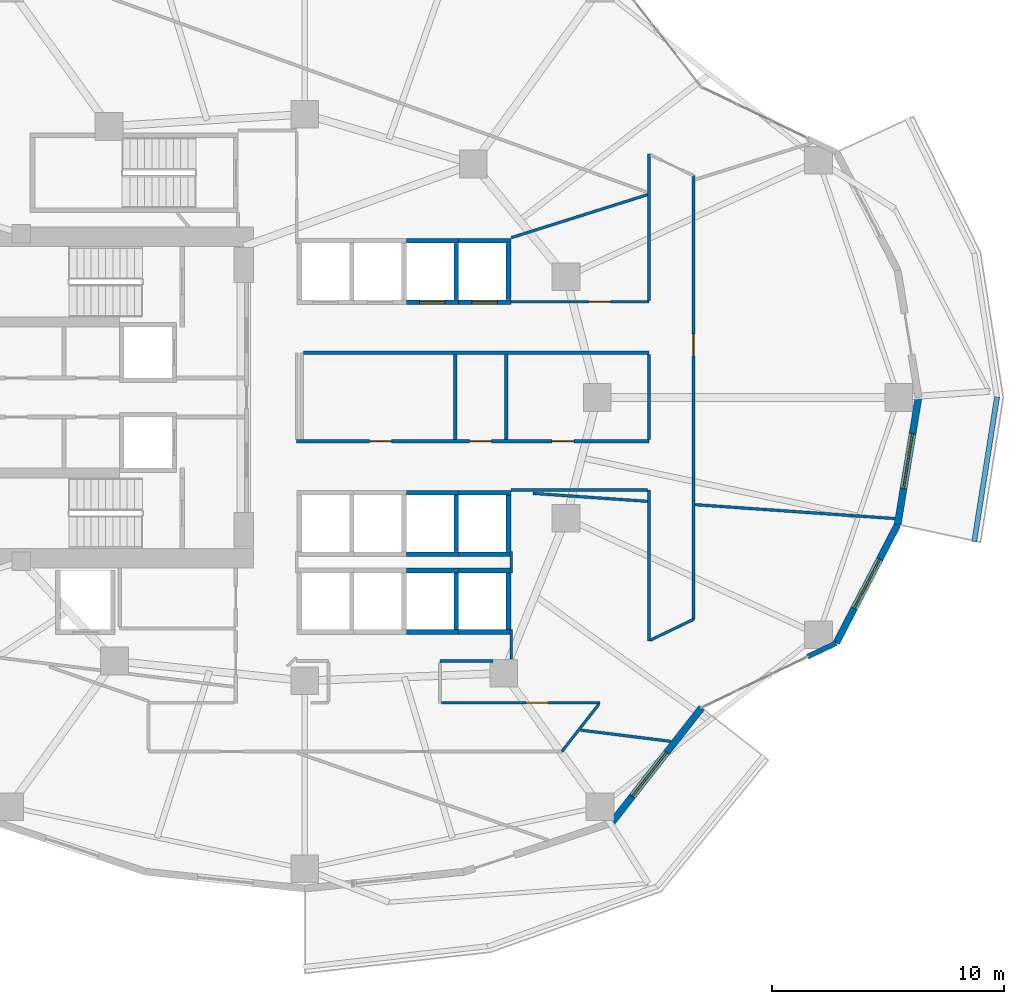
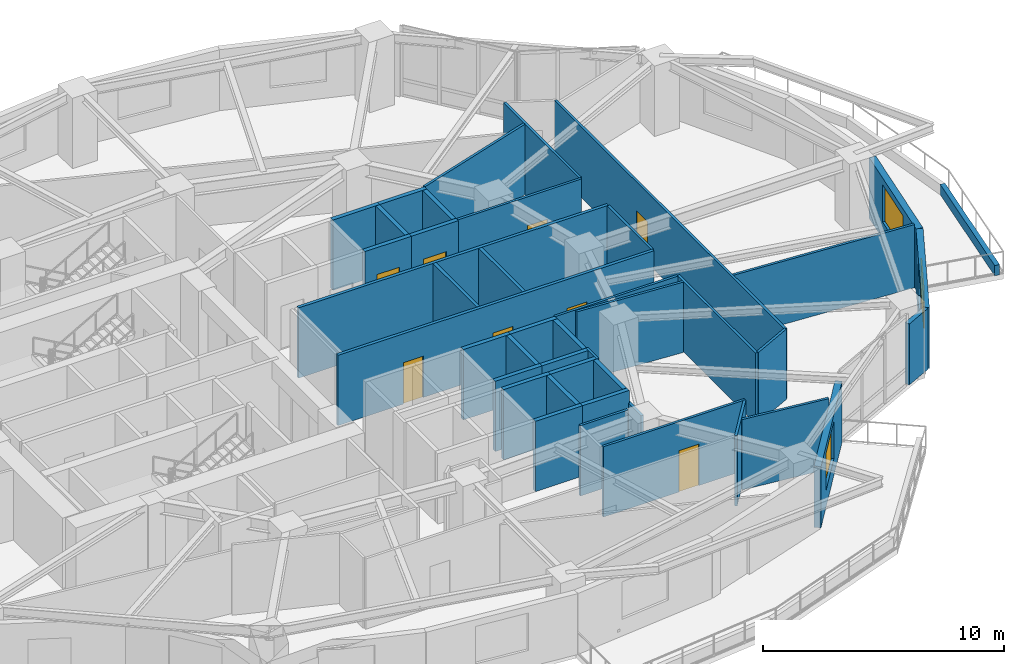
# One storey, part 8 of 13: 43 walls, 8 doors, 3 windows, 11 openings.
"""IFC4 building model written with IfcOpenShell, lengths in metres."""

from ifc_helpers import new_model, si_unit, direction, frame, frame_2d, origin, place, context, subcontext, project, spatial, rectangle, extrude, material, layer, layer_set, type_object, element, fill, save


model = new_model("IFC4")

# Units and contexts
model_context = context("Model", 3, precision=1e-05, world=origin(), true_north=direction((0.0, 1.0)))
body_context = subcontext(model_context, "Body", "Model", "MODEL_VIEW")
ifc_project = project(units=[si_unit("LENGTHUNIT", "METRE"), si_unit("AREAUNIT", "SQUARE_METRE"), si_unit("VOLUMEUNIT", "CUBIC_METRE"), si_unit("PLANEANGLEUNIT", "RADIAN"), si_unit("MASSUNIT", "GRAM", prefix="KILO")], contexts=[model_context])

# Site, building, storey
site_placement = place(None, origin())
site = spatial("IfcSite", under=ifc_project, at=site_placement, CompositionType="ELEMENT")
building_placement = place(site_placement, origin())
building = spatial("IfcBuilding", under=site, at=building_placement, Name="Kolvaren Gate Tower and Convention Centre", CompositionType="ELEMENT")
storey_placement = place(building_placement, frame((0.0, 0.0, 76.550048828125)))
storey = spatial("IfcBuildingStorey", under=building, at=storey_placement, Name="L18", CompositionType="ELEMENT", Elevation=76.550048828125)

# Wall
ifc_material_1 = material(Name="Fire-Rated Acoustic Gypsum Stud Partition", Category="gypsum")
ifc_layer_1 = layer(ifc_material_1, 0.1201171875)
ifc_layer_set_1 = layer_set([ifc_layer_1], Name="Fire-Rated Acoustic Gypsum Stud Partition")
wall_type_1 = type_object("IfcWallType", Name="ARCH-WL-PART-120", PredefinedType="PARTITIONING", material=ifc_layer_set_1)
wall_1_placement = place(storey_placement, frame((35.949951171875, 15.64990234375, 0.0), z_axis=(0.0, 0.0, 1.0), x_axis=(1.0, 0.0, 0.0)))
element("IfcWall", 1, at=wall_1_placement, inside=storey, type_object=wall_type_1, Name="Interior Partition WL-L18-INT-018", PredefinedType="PARTITIONING", context=body_context, shape_type="SweptSolid", body=[
    extrude(rectangle(XDim=2.291015625, YDim=0.1201171875, at=frame_2d((1.1455078125, 0.0))), origin(), (0.0, 0.0, 1.0), 3.570068359375),
])

# Wall, opening, door
wall_2_placement = place(storey_placement, frame((36.011962890625, 13.85009765625, 0.0), z_axis=(0.0, 0.0, 1.0), x_axis=(1.0, 0.0, 0.0)))
wall_2 = element("IfcWall", 2, at=wall_2_placement, inside=storey, type_object=wall_type_1, Name="Interior Partition WL-L18-INT-022", PredefinedType="PARTITIONING", context=body_context, shape_type="SweptSolid", body=[
    extrude(rectangle(XDim=6.830078125, YDim=0.1201171875, at=frame_2d((3.4150390625, 0.0))), origin(), (0.0, 0.0, 1.0), 3.570068359375),
])
opening_1_placement = place(wall_2_placement, frame((3.639892578125, 0.0, 0.0)))
opening_1 = element("IfcOpeningElement", 3, at=opening_1_placement, cuts=wall_2, Name="Opening DR-01", PredefinedType="OPENING", context=body_context, shape_type="SweptSolid", body=[
    extrude(rectangle(XDim=0.949951171875, YDim=2.10009765625, at=frame_2d((0.47509765625, 1.050048828125))), frame((0.0, 0.070068359375, 0.0), z_axis=(0.0, -1.0, 0.0), x_axis=(1.0, 0.0, 0.0)), (0.0, 0.0, 1.0), 0.14013671875),
])
ifc_material_2 = material(Name="Painted Architectural Steelwork ASTM A500 Grade C 345 MPa", Category="steel")
door_type_1 = type_object("IfcDoorType", Name="ARCH-DR-RISER-950", OperationType="SINGLE_SWING_RIGHT", PredefinedType="DOOR", material=ifc_material_2)
door_1_placement = place(opening_1_placement, origin())
door_1 = element("IfcDoor", 4, at=door_1_placement, inside=storey, type_object=door_type_1, Name="Operations Support Staff Centre Door", OperationType="SINGLE_SWING_LEFT", OverallHeight=2.10009765625, OverallWidth=0.949951171875, PredefinedType="DOOR", context=body_context, shape_type="SweptSolid", body=[
    extrude(rectangle(XDim=0.949951171875, YDim=2.10009765625, at=frame_2d((0.47509765625, 1.050048828125))), frame((0.0, 0.02490234375, 0.0), z_axis=(0.0, -1.0, 0.0), x_axis=(1.0, 0.0, 0.0)), (0.0, 0.0, 1.0), 0.050048828125),
])
fill(opening_1, door_1)

# Wall
wall_3_placement = place(storey_placement, frame((41.197998046875, 11.75, 0.0), z_axis=(0.0, 0.0, 1.0), x_axis=(0.616412533256, 0.787423386016, 0.0)))
element("IfcWall", 5, at=wall_3_placement, inside=storey, type_object=wall_type_1, Name="Interior Partition WL-L18-INT-023", PredefinedType="PARTITIONING", context=body_context, shape_type="SweptSolid", body=[
    extrude(rectangle(XDim=2.58837890625, YDim=0.1201171875, at=frame_2d((1.294189453125, 0.0))), origin(), (0.0, 0.0, 1.0), 3.570068359375),
])

# Wall, opening, door
wall_4_placement = place(storey_placement, frame((39.02001953125, 31.1201171875, 0.0), z_axis=(0.0, 0.0, 1.0), x_axis=(1.0, 0.0, 0.0)))
wall_4 = element("IfcWall", 6, at=wall_4_placement, inside=storey, type_object=wall_type_1, Name="Interior Partition WL-L18-INT-031", PredefinedType="PARTITIONING", context=body_context, shape_type="SweptSolid", body=[
    extrude(rectangle(XDim=5.929931640625, YDim=0.1201171875, at=frame_2d((2.96484375, 0.0))), origin(), (0.0, 0.0, 1.0), 3.570068359375),
])
opening_2_placement = place(wall_4_placement, frame((3.330078125, 0.0, 0.0)))
opening_2 = element("IfcOpeningElement", 7, at=opening_2_placement, cuts=wall_4, Name="Opening DR-01", PredefinedType="OPENING", context=body_context, shape_type="SweptSolid", body=[
    extrude(rectangle(XDim=0.949951171875, YDim=2.10009765625, at=frame_2d((0.47509765625, 1.050048828125))), frame((0.0, 0.070068359375, 0.0), z_axis=(0.0, -1.0, 0.0), x_axis=(1.0, 0.0, 0.0)), (0.0, 0.0, 1.0), 0.14013671875),
])
door_2_placement = place(opening_2_placement, origin())
door_2 = element("IfcDoor", 8, at=door_2_placement, inside=storey, type_object=door_type_1, Name="First-Aid Room Door", OperationType="SINGLE_SWING_RIGHT", OverallHeight=2.10009765625, OverallWidth=0.949951171875, PredefinedType="DOOR", context=body_context, shape_type="SweptSolid", body=[
    extrude(rectangle(XDim=0.949951171875, YDim=2.10009765625, at=frame_2d((0.47509765625, 1.050048828125))), frame((0.0, 0.02490234375, 0.0), z_axis=(0.0, -1.0, 0.0), x_axis=(1.0, 0.0, 0.0)), (0.0, 0.0, 1.0), 0.050048828125),
])
fill(opening_2, door_2)

# Walls
wall_5_placement = place(storey_placement, frame((44.949951171875, 16.51904296875, 0.0), z_axis=(0.0, 0.0, 1.0), x_axis=(0.0, 1.0, 0.0)))
element("IfcWall", 9, at=wall_5_placement, inside=storey, type_object=wall_type_1, Name="Interior Partition WL-L18-INT-032", PredefinedType="PARTITIONING", context=body_context, shape_type="SweptSolid", body=[
    extrude(rectangle(XDim=6.5009765625, YDim=0.1201171875, at=frame_2d((3.25048828125, 0.0))), origin(), (0.0, 0.0, 1.0), 3.570068359375),
])
wall_6_placement = place(storey_placement, frame((44.949951171875, 25.197021484375, 0.0), z_axis=(0.0, 0.0, 1.0), x_axis=(0.0, 1.0, 0.0)))
element("IfcWall", 10, at=wall_6_placement, inside=storey, type_object=wall_type_1, Name="Interior Partition WL-L18-INT-033", PredefinedType="PARTITIONING", context=body_context, shape_type="SweptSolid", body=[
    extrude(rectangle(XDim=3.64599609375, YDim=0.1201171875, at=frame_2d((1.822998046875, 0.0))), origin(), (0.0, 0.0, 1.0), 3.570068359375),
])
wall_7_placement = place(storey_placement, frame((44.949951171875, 31.181884765625, 0.0), z_axis=(0.0, 0.0, 1.0), x_axis=(0.0, 1.0, 0.0)))
element("IfcWall", 11, at=wall_7_placement, inside=storey, type_object=wall_type_1, Name="Interior Partition WL-L18-INT-034", PredefinedType="PARTITIONING", context=body_context, shape_type="SweptSolid", body=[
    extrude(rectangle(XDim=6.299072265625, YDim=0.1201171875, at=frame_2d((3.1494140625, 0.0))), origin(), (0.0, 0.0, 1.0), 3.570068359375),
])

# Wall, opening, door
wall_8_placement = place(storey_placement, frame((46.8701171875, 17.44189453125, 0.0), z_axis=(0.0, 0.0, 1.0), x_axis=(0.0, 1.0, 0.0)))
wall_8 = element("IfcWall", 12, at=wall_8_placement, inside=storey, type_object=wall_type_1, Name="Interior Partition WL-L18-INT-036", PredefinedType="PARTITIONING", context=body_context, shape_type="SweptSolid", body=[
    extrude(rectangle(XDim=19.1162109375, YDim=0.1201171875, at=frame_2d((9.55810546875, 0.0))), origin(), (0.0, 0.0, 1.0), 3.570068359375),
])
opening_3_placement = place(wall_8_placement, frame((11.352294921875, 0.0, 0.0)))
opening_3 = element("IfcOpeningElement", 13, at=opening_3_placement, cuts=wall_8, Name="Opening DR-01", PredefinedType="OPENING", context=body_context, shape_type="SweptSolid", body=[
    extrude(rectangle(XDim=0.949951171875, YDim=2.10009765625, at=frame_2d((0.47509765625, 1.050048828125))), frame((0.0, 0.070068359375, 0.0), z_axis=(0.0, -1.0, 0.0), x_axis=(1.0, 0.0, 0.0)), (0.0, 0.0, 1.0), 0.14013671875),
])
door_3_placement = place(opening_3_placement, origin())
door_3 = element("IfcDoor", 14, at=door_3_placement, inside=storey, type_object=door_type_1, Name="Operations Support Staff Centre Door", OperationType="SINGLE_SWING_LEFT", OverallHeight=2.10009765625, OverallWidth=0.949951171875, PredefinedType="DOOR", context=body_context, shape_type="SweptSolid", body=[
    extrude(rectangle(XDim=0.949951171875, YDim=2.10009765625, at=frame_2d((0.47509765625, 1.050048828125))), frame((0.0, 0.02490234375, 0.0), z_axis=(0.0, -1.0, 0.0), x_axis=(1.0, 0.0, 0.0)), (0.0, 0.0, 1.0), 0.050048828125),
])
fill(opening_3, door_3)

# Walls
wall_9_placement = place(storey_placement, frame((45.011962890625, 16.548828125, 0.0), z_axis=(0.0, 0.0, 1.0), x_axis=(0.901304887575, 0.433185294803, 0.0)))
element("IfcWall", 15, at=wall_9_placement, inside=storey, type_object=wall_type_1, Name="Interior Partition WL-L18-INT-037", PredefinedType="PARTITIONING", context=body_context, shape_type="SweptSolid", body=[
    extrude(rectangle(XDim=2.0615234375, YDim=0.1201171875, at=frame_2d((1.03076171875, 0.0))), origin(), (0.0, 0.0, 1.0), 3.570068359375),
])
wall_10_placement = place(storey_placement, frame((39.0, 23.02001953125, 0.0), z_axis=(0.0, 0.0, 1.0), x_axis=(1.0, 0.0, 0.0)))
element("IfcWall", 16, at=wall_10_placement, inside=storey, type_object=wall_type_1, Name="Interior Partition WL-L18-INT-038", PredefinedType="PARTITIONING", context=body_context, shape_type="SweptSolid", body=[
    extrude(rectangle(XDim=5.887939453125, YDim=0.1201171875, at=frame_2d((2.94384765625, 0.0))), origin(), (0.0, 0.0, 1.0), 3.570068359375),
])
wall_11_placement = place(storey_placement, frame((39.02001953125, 15.741943359375, 0.0), z_axis=(0.0, 0.0, 1.0), x_axis=(0.0, 1.0, 0.0)))
element("IfcWall", 17, at=wall_11_placement, inside=storey, type_object=wall_type_1, Name="Interior Partition WL-L18-INT-039", PredefinedType="PARTITIONING", context=body_context, shape_type="SweptSolid", body=[
    extrude(rectangle(XDim=1.26806640625, YDim=0.1201171875, at=frame_2d((0.634033203125, 0.0))), origin(), (0.0, 0.0, 1.0), 2.933837890625),
])
wall_12_placement = place(storey_placement, frame((39.02001953125, 19.43994140625, 0.0), z_axis=(0.0, 0.0, 1.0), x_axis=(0.0, 1.0, 0.0)))
element("IfcWall", 18, at=wall_12_placement, inside=storey, type_object=wall_type_1, Name="Interior Partition WL-L18-INT-039 (2)", PredefinedType="PARTITIONING", context=body_context, shape_type="SweptSolid", body=[
    extrude(rectangle(XDim=0.920166015625, YDim=0.1201171875, at=frame_2d((0.4599609375, 0.0))), origin(), (0.0, 0.0, 1.0), 3.570068359375),
])
wall_13_placement = place(storey_placement, frame((39.960693359375, 22.8701171875, 0.0), z_axis=(0.0, 0.0, 1.0), x_axis=(0.99758211908, -0.069497594858, 0.0)))
element("IfcWall", 19, at=wall_13_placement, inside=storey, type_object=wall_type_1, Name="Interior Partition WL-L18-INT-043", PredefinedType="PARTITIONING", context=body_context, shape_type="SweptSolid", body=[
    extrude(rectangle(XDim=4.939208984375, YDim=0.1201171875, at=frame_2d((2.4697265625, 0.0))), origin(), (0.0, 0.0, 1.0), 3.570068359375),
])
wall_14_placement = place(storey_placement, frame((46.931884765625, 22.384521484375, 0.0), z_axis=(0.0, 0.0, 1.0), x_axis=(0.997586585682, -0.069433450639, 0.0)))
element("IfcWall", 20, at=wall_14_placement, inside=storey, type_object=wall_type_1, Name="Interior Partition WL-L18-INT-044", PredefinedType="PARTITIONING", context=body_context, shape_type="SweptSolid", body=[
    extrude(rectangle(XDim=8.63916015625, YDim=0.1201171875, at=frame_2d((4.319580078125, 0.0))), origin(), (0.0, 0.0, 1.0), 3.204833984375),
])
wall_15_placement = place(storey_placement, frame((41.999755859375, 12.673583984375, 0.0), z_axis=(0.0, 0.0, 1.0), x_axis=(0.992316110302, -0.123728481908, 0.0)))
element("IfcWall", 21, at=wall_15_placement, inside=storey, type_object=wall_type_1, Name="Interior Partition WL-L18-INT-046", PredefinedType="PARTITIONING", context=body_context, shape_type="SweptSolid", body=[
    extrude(rectangle(XDim=3.9248046875, YDim=0.1201171875, at=frame_2d((1.96240234375, 0.0))), origin(), (0.0, 0.0, 1.0), 3.570068359375),
])
wall_16_placement = place(storey_placement, frame((39.02001953125, 33.8828125, 0.0), z_axis=(0.0, 0.0, 1.0), x_axis=(0.953639615223, 0.300950966568, 0.0)))
element("IfcWall", 22, at=wall_16_placement, inside=storey, type_object=wall_type_1, Name="Interior Partition WL-L18-INT-050", PredefinedType="PARTITIONING", context=body_context, shape_type="SweptSolid", body=[
    extrude(rectangle(XDim=6.153076171875, YDim=0.1201171875, at=frame_2d((3.07666015625, 0.0))), origin(), (0.0, 0.0, 1.0), 3.570068359375),
])
ifc_material_3 = material(Name="Bogota Sabana Bush-Hammered Sandstone Cladding", Category="masonry")
ifc_layer_2 = layer(ifc_material_3, 0.219970703125)
ifc_layer_set_2 = layer_set([ifc_layer_2], Name="Bogota Sabana Bush-Hammered Sandstone Cladding")
wall_type_2 = type_object("IfcWallType", Name="ARCH-WL-PIER-220", PredefinedType="SOLIDWALL", material=ifc_layer_set_2)
wall_17_placement = place(storey_placement, frame((51.77587890625, 15.826904296875, 0.0), z_axis=(0.0, 0.0, 1.0), x_axis=(0.90131879969, 0.433156347438, 0.0)))
element("IfcWall", 23, at=wall_17_placement, inside=storey, type_object=wall_type_2, Name="Tower L18 Unitised Curtain Wall CW-OFF-UNIT Bay 21 Right Column Pier Wrap", PredefinedType="SOLIDWALL", context=body_context, shape_type="SweptSolid", body=[
    extrude(rectangle(XDim=1.380859375, YDim=0.219970703125, at=frame_2d((0.6904296875, 0.0))), origin(), (0.0, 0.0, 1.0), 3.093017578125),
])
ifc_material_4 = material(Name="Piedmont Cream Honed Limestone Cladding", Category="masonry")
ifc_layer_3 = layer(ifc_material_4, 0.219970703125)
ifc_layer_set_3 = layer_set([ifc_layer_3], Name="Piedmont Cream Honed Limestone Cladding")
wall_type_3 = type_object("IfcWallType", Name="ARCH-WL-PLANTER-220", PredefinedType="PARAPET", material=ifc_layer_set_3)
wall_18_placement = place(storey_placement, frame((58.9619140625, 20.7880859375, 0.0), z_axis=(0.0, 0.0, 1.0), x_axis=(0.15545655238, 0.987842730561, 0.0)))
element("IfcWall", 24, at=wall_18_placement, inside=storey, type_object=wall_type_3, Name="Vertical-Forest Balcony Stone Planter Kerb PK-L18-4.1", PredefinedType="PARAPET", context=body_context, shape_type="SweptSolid", body=[
    extrude(rectangle(XDim=6.318115234375, YDim=0.219970703125, at=frame_2d((3.1591796875, 0.0))), origin(), (0.0, 0.0, 1.0), 0.52001953125),
])
ifc_material_5 = material(Name="Autoclaved Aerated Masonry Blockwork Class 4 (4.0 MPa)", Category="masonry")
ifc_layer_4 = layer(ifc_material_5, 0.199951171875)
ifc_layer_set_4 = layer_set([ifc_layer_4], Name="Autoclaved Aerated Masonry Blockwork Class 4 (4.0 MPa)")
wall_type_4 = type_object("IfcWallType", Name="ARCH-WL-SHAFT-200", PredefinedType="SOLIDWALL", material=ifc_layer_set_4)
wall_19_placement = place(storey_placement, frame((34.5, 33.75, 0.0), z_axis=(0.0, 0.0, 1.0), x_axis=(1.0, 0.0, 0.0)))
element("IfcWall", 25, at=wall_19_placement, inside=storey, type_object=wall_type_4, Name="Elevator PL-03 L18 Fire Shaft Wall N", PredefinedType="SOLIDWALL", context=body_context, shape_type="SweptSolid", body=[
    extrude(rectangle(XDim=2.25, YDim=0.199951171875, at=frame_2d((1.125, 0.0))), origin(), (0.0, 0.0, 1.0), 3.570068359375),
])

# Wall, opening, door
wall_20_placement = place(storey_placement, frame((34.5, 31.10009765625, 0.0), z_axis=(0.0, 0.0, 1.0), x_axis=(1.0, 0.0, 0.0)))
wall_20 = element("IfcWall", 26, at=wall_20_placement, inside=storey, type_object=wall_type_4, Name="Elevator PL-03 L18 Fire Shaft Wall S", PredefinedType="SOLIDWALL", context=body_context, shape_type="SweptSolid", body=[
    extrude(rectangle(XDim=2.25, YDim=0.199951171875, at=frame_2d((1.125, 0.0))), origin(), (0.0, 0.0, 1.0), 3.570068359375),
])
opening_4_placement = place(wall_20_placement, frame((0.574951171875, 0.0, 0.0)))
opening_4 = element("IfcOpeningElement", 27, at=opening_4_placement, cuts=wall_20, Name="Opening LD", PredefinedType="OPENING", context=body_context, shape_type="SweptSolid", body=[
    extrude(rectangle(XDim=1.10009765625, YDim=2.199951171875, at=frame_2d((0.550048828125, 1.10009765625))), frame((0.0, 0.10986328125, 0.0), z_axis=(0.0, -1.0, 0.0), x_axis=(1.0, 0.0, 0.0)), (0.0, 0.0, 1.0), 0.219970703125),
])
ifc_material_6 = material(Name="Brushed Stainless Steel Grade 316L", Category="steel")
door_type_2 = type_object("IfcDoorType", Name="ARCH-DR-LIFT-1100", OperationType="SLIDING_TO_LEFT", PredefinedType="DOOR", material=ifc_material_6)
door_4_placement = place(opening_4_placement, origin())
door_4 = element("IfcDoor", 28, at=door_4_placement, inside=storey, type_object=door_type_2, Name="Elevator PL-03 L18 Sliding Landing Door", OperationType="SLIDING_TO_LEFT", OverallHeight=2.199951171875, OverallWidth=1.10009765625, PredefinedType="DOOR", context=body_context, shape_type="SweptSolid", body=[
    extrude(rectangle(XDim=1.10009765625, YDim=2.199951171875, at=frame_2d((0.550048828125, 1.10009765625))), frame((0.0, 0.02490234375, 0.0), z_axis=(0.0, -1.0, 0.0), x_axis=(1.0, 0.0, 0.0)), (0.0, 0.0, 1.0), 0.050048828125),
])
fill(opening_4, door_4)

# Walls
wall_21_placement = place(storey_placement, frame((36.64990234375, 31.2099609375, 0.0), z_axis=(0.0, 0.0, 1.0), x_axis=(0.0, 1.0, 0.0)))
element("IfcWall", 29, at=wall_21_placement, inside=storey, type_object=wall_type_4, Name="Elevator PL-03 L18 Fire Shaft Wall E", PredefinedType="SOLIDWALL", context=body_context, shape_type="SweptSolid", body=[
    extrude(rectangle(XDim=2.429931640625, YDim=0.199951171875, at=frame_2d((1.21484375, 0.0))), origin(), (0.0, 0.0, 1.0), 3.570068359375),
])
wall_22_placement = place(storey_placement, frame((36.75, 33.75, 0.0), z_axis=(0.0, 0.0, 1.0), x_axis=(1.0, 0.0, 0.0)))
element("IfcWall", 30, at=wall_22_placement, inside=storey, type_object=wall_type_4, Name="Elevator PL-04 L18 Fire Shaft Wall N", PredefinedType="SOLIDWALL", context=body_context, shape_type="SweptSolid", body=[
    extrude(rectangle(XDim=2.25, YDim=0.199951171875, at=frame_2d((1.125, 0.0))), origin(), (0.0, 0.0, 1.0), 3.570068359375),
])

# Wall, opening, door
wall_23_placement = place(storey_placement, frame((36.75, 31.10009765625, 0.0), z_axis=(0.0, 0.0, 1.0), x_axis=(1.0, 0.0, 0.0)))
wall_23 = element("IfcWall", 31, at=wall_23_placement, inside=storey, type_object=wall_type_4, Name="Elevator PL-04 L18 Fire Shaft Wall S", PredefinedType="SOLIDWALL", context=body_context, shape_type="SweptSolid", body=[
    extrude(rectangle(XDim=2.25, YDim=0.199951171875, at=frame_2d((1.125, 0.0))), origin(), (0.0, 0.0, 1.0), 3.570068359375),
])
opening_5_placement = place(wall_23_placement, frame((0.574951171875, 0.0, 0.0)))
opening_5 = element("IfcOpeningElement", 32, at=opening_5_placement, cuts=wall_23, Name="Opening LD", PredefinedType="OPENING", context=body_context, shape_type="SweptSolid", body=[
    extrude(rectangle(XDim=1.10009765625, YDim=2.199951171875, at=frame_2d((0.550048828125, 1.10009765625))), frame((0.0, 0.10986328125, 0.0), z_axis=(0.0, -1.0, 0.0), x_axis=(1.0, 0.0, 0.0)), (0.0, 0.0, 1.0), 0.219970703125),
])
door_5_placement = place(opening_5_placement, origin())
door_5 = element("IfcDoor", 33, at=door_5_placement, inside=storey, type_object=door_type_2, Name="Elevator PL-04 L18 Sliding Landing Door", OperationType="SLIDING_TO_LEFT", OverallHeight=2.199951171875, OverallWidth=1.10009765625, PredefinedType="DOOR", context=body_context, shape_type="SweptSolid", body=[
    extrude(rectangle(XDim=1.10009765625, YDim=2.199951171875, at=frame_2d((0.550048828125, 1.10009765625))), frame((0.0, 0.02490234375, 0.0), z_axis=(0.0, -1.0, 0.0), x_axis=(1.0, 0.0, 0.0)), (0.0, 0.0, 1.0), 0.050048828125),
])
fill(opening_5, door_5)

# Walls
wall_24_placement = place(storey_placement, frame((38.89990234375, 31.2099609375, 0.0), z_axis=(0.0, 0.0, 1.0), x_axis=(0.0, 1.0, 0.0)))
element("IfcWall", 34, at=wall_24_placement, inside=storey, type_object=wall_type_4, Name="Elevator PL-04 L18 Fire Shaft Wall E", PredefinedType="SOLIDWALL", context=body_context, shape_type="SweptSolid", body=[
    extrude(rectangle(XDim=2.429931640625, YDim=0.199951171875, at=frame_2d((1.21484375, 0.0))), origin(), (0.0, 0.0, 1.0), 3.570068359375),
])
for number, where, z_axis, x_axis, name in (
    (35, (34.5, 19.550048828125, 0.0), (0.0, 0.0, 1.0), (1.0, 0.0, 0.0), "Elevator PL-07 L18 Fire Shaft Wall N"),
    (36, (34.5, 16.89990234375, 0.0), (0.0, 0.0, 1.0), (1.0, 0.0, 0.0), "Elevator PL-07 L18 Fire Shaft Wall S"),
):
    element("IfcWall", number, at=place(storey_placement, frame(where, z_axis=z_axis, x_axis=x_axis)), inside=storey, type_object=wall_type_4, Name=name, PredefinedType="SOLIDWALL", context=body_context, shape_type="SweptSolid", body=[
        extrude(rectangle(XDim=2.25, YDim=0.199951171875, at=frame_2d((1.125, 0.0))), origin(), (0.0, 0.0, 1.0), 3.570068359375),
    ])
wall_25_placement = place(storey_placement, frame((36.64990234375, 17.010009765625, 0.0), z_axis=(0.0, 0.0, 1.0), x_axis=(0.0, 1.0, 0.0)))
element("IfcWall", 37, at=wall_25_placement, inside=storey, type_object=wall_type_4, Name="Elevator PL-07 L18 Fire Shaft Wall E", PredefinedType="SOLIDWALL", context=body_context, shape_type="SweptSolid", body=[
    extrude(rectangle(XDim=2.429931640625, YDim=0.199951171875, at=frame_2d((1.21484375, 0.0))), origin(), (0.0, 0.0, 1.0), 3.570068359375),
])
for number, where, z_axis, x_axis, name in (
    (38, (36.75, 19.550048828125, 0.0), (0.0, 0.0, 1.0), (1.0, 0.0, 0.0), "Elevator PL-08 L18 Fire Shaft Wall N"),
    (39, (36.75, 16.89990234375, 0.0), (0.0, 0.0, 1.0), (1.0, 0.0, 0.0), "Elevator PL-08 L18 Fire Shaft Wall S"),
):
    element("IfcWall", number, at=place(storey_placement, frame(where, z_axis=z_axis, x_axis=x_axis)), inside=storey, type_object=wall_type_4, Name=name, PredefinedType="SOLIDWALL", context=body_context, shape_type="SweptSolid", body=[
        extrude(rectangle(XDim=2.25, YDim=0.199951171875, at=frame_2d((1.125, 0.0))), origin(), (0.0, 0.0, 1.0), 3.570068359375),
    ])
wall_26_placement = place(storey_placement, frame((38.89990234375, 17.010009765625, 0.0), z_axis=(0.0, 0.0, 1.0), x_axis=(0.0, 1.0, 0.0)))
element("IfcWall", 40, at=wall_26_placement, inside=storey, type_object=wall_type_4, Name="Elevator PL-08 L18 Fire Shaft Wall E", PredefinedType="SOLIDWALL", context=body_context, shape_type="SweptSolid", body=[
    extrude(rectangle(XDim=2.429931640625, YDim=0.199951171875, at=frame_2d((1.21484375, 0.0))), origin(), (0.0, 0.0, 1.0), 3.570068359375),
])
for number, where, z_axis, x_axis, name in (
    (41, (34.5, 22.89990234375, 0.0), (0.0, 0.0, 1.0), (1.0, 0.0, 0.0), "Elevator PL-11 L18 Fire Shaft Wall N"),
    (42, (34.5, 20.25, 0.0), (0.0, 0.0, 1.0), (1.0, 0.0, 0.0), "Elevator PL-11 L18 Fire Shaft Wall S"),
):
    element("IfcWall", number, at=place(storey_placement, frame(where, z_axis=z_axis, x_axis=x_axis)), inside=storey, type_object=wall_type_4, Name=name, PredefinedType="SOLIDWALL", context=body_context, shape_type="SweptSolid", body=[
        extrude(rectangle(XDim=2.25, YDim=0.199951171875, at=frame_2d((1.125, 0.0))), origin(), (0.0, 0.0, 1.0), 3.570068359375),
    ])
wall_27_placement = place(storey_placement, frame((36.64990234375, 20.360107421875, 0.0), z_axis=(0.0, 0.0, 1.0), x_axis=(0.0, 1.0, 0.0)))
element("IfcWall", 43, at=wall_27_placement, inside=storey, type_object=wall_type_4, Name="Elevator PL-11 L18 Fire Shaft Wall E", PredefinedType="SOLIDWALL", context=body_context, shape_type="SweptSolid", body=[
    extrude(rectangle(XDim=2.429931640625, YDim=0.199951171875, at=frame_2d((1.21484375, 0.0))), origin(), (0.0, 0.0, 1.0), 3.570068359375),
])
for number, where, z_axis, x_axis, name in (
    (44, (36.75, 22.89990234375, 0.0), (0.0, 0.0, 1.0), (1.0, 0.0, 0.0), "Elevator PL-12 L18 Fire Shaft Wall N"),
    (45, (36.75, 20.25, 0.0), (0.0, 0.0, 1.0), (1.0, 0.0, 0.0), "Elevator PL-12 L18 Fire Shaft Wall S"),
):
    element("IfcWall", number, at=place(storey_placement, frame(where, z_axis=z_axis, x_axis=x_axis)), inside=storey, type_object=wall_type_4, Name=name, PredefinedType="SOLIDWALL", context=body_context, shape_type="SweptSolid", body=[
        extrude(rectangle(XDim=2.25, YDim=0.199951171875, at=frame_2d((1.125, 0.0))), origin(), (0.0, 0.0, 1.0), 3.570068359375),
    ])
wall_28_placement = place(storey_placement, frame((38.89990234375, 20.360107421875, 0.0), z_axis=(0.0, 0.0, 1.0), x_axis=(0.0, 1.0, 0.0)))
element("IfcWall", 46, at=wall_28_placement, inside=storey, type_object=wall_type_4, Name="Elevator PL-12 L18 Fire Shaft Wall E", PredefinedType="SOLIDWALL", context=body_context, shape_type="SweptSolid", body=[
    extrude(rectangle(XDim=2.429931640625, YDim=0.199951171875, at=frame_2d((1.21484375, 0.0))), origin(), (0.0, 0.0, 1.0), 3.570068359375),
])

# Wall, opening, window
ifc_layer_5 = layer(ifc_material_4, 0.300048828125)
ifc_layer_set_5 = layer_set([ifc_layer_5], Name="Piedmont Cream Honed Limestone Cladding")
wall_type_5 = type_object("IfcWallType", Name="ARCH-WL-STONE-300", PredefinedType="SOLIDWALL", material=ifc_layer_set_5)
wall_29_placement = place(storey_placement, frame((43.34375, 8.68359375, 0.0), z_axis=(0.0, 0.0, 1.0), x_axis=(0.616434798832, 0.78740595552, 0.0)))
wall_29 = element("IfcWall", 47, at=wall_29_placement, inside=storey, type_object=wall_type_5, Name="Tower L18 Honed Stone Spandrel Wall EW-20", PredefinedType="SOLIDWALL", context=body_context, shape_type="SweptSolid", body=[
    extrude(rectangle(XDim=6.29443359375, YDim=0.300048828125, at=frame_2d((3.147216796875, 0.0))), origin(), (0.0, 0.0, 1.0), 3.093017578125),
])
opening_6_placement = place(wall_29_placement, frame((1.449951171875, 0.0, 0.85009765625)))
opening_6 = element("IfcOpeningElement", 48, at=opening_6_placement, cuts=wall_29, Name="Opening W-01", PredefinedType="OPENING", context=body_context, shape_type="SweptSolid", body=[
    extrude(rectangle(XDim=2.39990234375, YDim=1.89990234375, at=frame_2d((1.199951171875, 0.949951171875))), frame((0.0, 0.159912109375, 0.0), z_axis=(0.0, -1.0, 0.0), x_axis=(1.0, 0.0, 0.0)), (0.0, 0.0, 1.0), 0.320068359375),
])
ifc_material_7 = material(Name="Low-E Triple Insulated Glazing Unit 44 mm", Category="glass")
window_type = type_object("IfcWindowType", Name="ARCH-WN-OFF-2400", PartitioningType="SINGLE_PANEL", PredefinedType="WINDOW", material=ifc_material_7)
window_1_placement = place(opening_6_placement, origin())
window_1 = element("IfcWindow", 49, at=window_1_placement, inside=storey, type_object=window_type, Name="Tower L18 Punched Stone Facade Window W-20", OverallHeight=1.89990234375, OverallWidth=2.39990234375, PartitioningType="SINGLE_PANEL", PredefinedType="WINDOW", context=body_context, shape_type="SweptSolid", body=[
    extrude(rectangle(XDim=2.39990234375, YDim=1.89990234375, at=frame_2d((1.199951171875, 0.949951171875))), frame((0.0, 0.030029296875, 0.0), z_axis=(0.0, -1.0, 0.0), x_axis=(1.0, 0.0, 0.0)), (0.0, 0.0, 1.0), 0.06005859375),
])
fill(opening_6, window_1)

wall_30_placement = place(storey_placement, frame((53.0205078125, 16.425048828125, 0.0), z_axis=(0.0, 0.0, 1.0), x_axis=(0.459800981414, 0.888021991558, 0.0)))
wall_30 = element("IfcWall", 50, at=wall_30_placement, inside=storey, type_object=wall_type_5, Name="Tower L18 Honed Stone Spandrel Wall EW-22", PredefinedType="SOLIDWALL", context=body_context, shape_type="SweptSolid", body=[
    extrude(rectangle(XDim=5.744140625, YDim=0.300048828125, at=frame_2d((2.8720703125, 0.0))), origin(), (0.0, 0.0, 1.0), 3.093017578125),
])
opening_7_placement = place(wall_30_placement, frame((1.672119140625, 0.0, 0.85009765625)))
opening_7 = element("IfcOpeningElement", 51, at=opening_7_placement, cuts=wall_30, Name="Opening W-01", PredefinedType="OPENING", context=body_context, shape_type="SweptSolid", body=[
    extrude(rectangle(XDim=2.39990234375, YDim=1.89990234375, at=frame_2d((1.199951171875, 0.949951171875))), frame((0.0, 0.159912109375, 0.0), z_axis=(0.0, -1.0, 0.0), x_axis=(1.0, 0.0, 0.0)), (0.0, 0.0, 1.0), 0.320068359375),
])
window_2_placement = place(opening_7_placement, origin())
window_2 = element("IfcWindow", 52, at=window_2_placement, inside=storey, type_object=window_type, Name="Tower L18 Punched Stone Facade Window W-22", OverallHeight=1.89990234375, OverallWidth=2.39990234375, PartitioningType="SINGLE_PANEL", PredefinedType="WINDOW", context=body_context, shape_type="SweptSolid", body=[
    extrude(rectangle(XDim=2.39990234375, YDim=1.89990234375, at=frame_2d((1.199951171875, 0.949951171875))), frame((0.0, 0.030029296875, 0.0), z_axis=(0.0, -1.0, 0.0), x_axis=(1.0, 0.0, 0.0)), (0.0, 0.0, 1.0), 0.06005859375),
])
fill(opening_7, window_2)

wall_31_placement = place(storey_placement, frame((55.66162109375, 21.52587890625, 0.0), z_axis=(0.0, 0.0, 1.0), x_axis=(0.162386212206, 0.986727276447, 0.0)))
wall_31 = element("IfcWall", 53, at=wall_31_placement, inside=storey, type_object=wall_type_5, Name="Tower L18 Honed Stone Spandrel Wall EW-23", PredefinedType="SOLIDWALL", context=body_context, shape_type="SweptSolid", body=[
    extrude(rectangle(XDim=5.5478515625, YDim=0.300048828125, at=frame_2d((2.77392578125, 0.0))), origin(), (0.0, 0.0, 1.0), 3.093017578125),
])
opening_8_placement = place(wall_31_placement, frame((1.573974609375, 0.0, 0.85009765625)))
opening_8 = element("IfcOpeningElement", 54, at=opening_8_placement, cuts=wall_31, Name="Opening W-01", PredefinedType="OPENING", context=body_context, shape_type="SweptSolid", body=[
    extrude(rectangle(XDim=2.39990234375, YDim=1.89990234375, at=frame_2d((1.199951171875, 0.949951171875))), frame((0.0, 0.159912109375, 0.0), z_axis=(0.0, -1.0, 0.0), x_axis=(1.0, 0.0, 0.0)), (0.0, 0.0, 1.0), 0.320068359375),
])
window_3_placement = place(opening_8_placement, origin())
window_3 = element("IfcWindow", 55, at=window_3_placement, inside=storey, type_object=window_type, Name="Tower L18 Punched Stone Facade Window W-23", OverallHeight=1.89990234375, OverallWidth=2.39990234375, PartitioningType="SINGLE_PANEL", PredefinedType="WINDOW", context=body_context, shape_type="SweptSolid", body=[
    extrude(rectangle(XDim=2.39990234375, YDim=1.89990234375, at=frame_2d((1.199951171875, 0.949951171875))), frame((0.0, 0.030029296875, 0.0), z_axis=(0.0, -1.0, 0.0), x_axis=(1.0, 0.0, 0.0)), (0.0, 0.0, 1.0), 0.06005859375),
])
fill(opening_8, window_3)

# Wall, openings, doors
ifc_material_8 = material(Name="Moisture-Resistant Cement-Board Acoustic Partition", Category="gypsum")
ifc_layer_6 = layer(ifc_material_8, 0.14990234375)
ifc_layer_set_6 = layer_set([ifc_layer_6], Name="Moisture-Resistant Cement-Board Acoustic Partition")
wall_type_6 = type_object("IfcWallType", Name="ARCH-WL-WET-150", PredefinedType="PARTITIONING", material=ifc_layer_set_6)
wall_32_placement = place(storey_placement, frame((29.780029296875, 25.1201171875, 0.0), z_axis=(0.0, 0.0, 1.0), x_axis=(1.0, 0.0, 0.0)))
wall_32 = element("IfcWall", 56, at=wall_32_placement, inside=storey, type_object=wall_type_6, Name="Interior Partition WL-L18-INT-012", PredefinedType="PARTITIONING", context=body_context, shape_type="SweptSolid", body=[
    extrude(rectangle(XDim=15.169921875, YDim=0.14990234375, at=frame_2d((7.5849609375, 0.0))), origin(), (0.0, 0.0, 1.0), 3.570068359375),
])
opening_9_placement = place(wall_32_placement, frame((3.139892578125, 0.0, 0.0)))
opening_9 = element("IfcOpeningElement", 57, at=opening_9_placement, cuts=wall_32, Name="Opening DR-01", PredefinedType="OPENING", context=body_context, shape_type="SweptSolid", body=[
    extrude(rectangle(XDim=0.949951171875, YDim=2.10009765625, at=frame_2d((0.47509765625, 1.050048828125))), frame((0.0, 0.0849609375, 0.0), z_axis=(0.0, -1.0, 0.0), x_axis=(1.0, 0.0, 0.0)), (0.0, 0.0, 1.0), 0.169921875),
])
opening_10_placement = place(wall_32_placement, frame((7.445068359375, 0.0, 0.0)))
opening_10 = element("IfcOpeningElement", 58, at=opening_10_placement, cuts=wall_32, Name="Opening DR-01", PredefinedType="OPENING", context=body_context, shape_type="SweptSolid", body=[
    extrude(rectangle(XDim=0.949951171875, YDim=2.10009765625, at=frame_2d((0.47509765625, 1.050048828125))), frame((0.0, 0.0849609375, 0.0), z_axis=(0.0, -1.0, 0.0), x_axis=(1.0, 0.0, 0.0)), (0.0, 0.0, 1.0), 0.169921875),
])
opening_11_placement = place(wall_32_placement, frame((10.9951171875, 0.0, 0.0)))
opening_11 = element("IfcOpeningElement", 59, at=opening_11_placement, cuts=wall_32, Name="Opening DR-01", PredefinedType="OPENING", context=body_context, shape_type="SweptSolid", body=[
    extrude(rectangle(XDim=0.949951171875, YDim=2.10009765625, at=frame_2d((0.47509765625, 1.050048828125))), frame((0.0, 0.0849609375, 0.0), z_axis=(0.0, -1.0, 0.0), x_axis=(1.0, 0.0, 0.0)), (0.0, 0.0, 1.0), 0.169921875),
])
door_6_placement = place(opening_9_placement, origin())
door_6 = element("IfcDoor", 60, at=door_6_placement, inside=storey, type_object=door_type_1, Name="Accessible Universal Washroom Door", OperationType="SINGLE_SWING_RIGHT", OverallHeight=2.10009765625, OverallWidth=0.949951171875, PredefinedType="DOOR", context=body_context, shape_type="SweptSolid", body=[
    extrude(rectangle(XDim=0.949951171875, YDim=2.10009765625, at=frame_2d((0.47509765625, 1.050048828125))), frame((0.0, 0.02490234375, 0.0), z_axis=(0.0, -1.0, 0.0), x_axis=(1.0, 0.0, 0.0)), (0.0, 0.0, 1.0), 0.050048828125),
])
fill(opening_9, door_6)
door_7_placement = place(opening_10_placement, origin())
door_7 = element("IfcDoor", 61, at=door_7_placement, inside=storey, type_object=door_type_1, Name="Floor Janitor and Supply Store Door", OperationType="SINGLE_SWING_LEFT", OverallHeight=2.10009765625, OverallWidth=0.949951171875, PredefinedType="DOOR", context=body_context, shape_type="SweptSolid", body=[
    extrude(rectangle(XDim=0.949951171875, YDim=2.10009765625, at=frame_2d((0.47509765625, 1.050048828125))), frame((0.0, 0.02490234375, 0.0), z_axis=(0.0, -1.0, 0.0), x_axis=(1.0, 0.0, 0.0)), (0.0, 0.0, 1.0), 0.050048828125),
])
fill(opening_10, door_7)
door_8_placement = place(opening_11_placement, origin())
door_8 = element("IfcDoor", 62, at=door_8_placement, inside=storey, type_object=door_type_1, Name="Cellular Office Door", OperationType="SINGLE_SWING_RIGHT", OverallHeight=2.10009765625, OverallWidth=0.949951171875, PredefinedType="DOOR", context=body_context, shape_type="SweptSolid", body=[
    extrude(rectangle(XDim=0.949951171875, YDim=2.10009765625, at=frame_2d((0.47509765625, 1.050048828125))), frame((0.0, 0.02490234375, 0.0), z_axis=(0.0, -1.0, 0.0), x_axis=(1.0, 0.0, 0.0)), (0.0, 0.0, 1.0), 0.050048828125),
])
fill(opening_11, door_8)

# Walls
wall_33_placement = place(storey_placement, frame((30.076904296875, 28.919921875, 0.0), z_axis=(0.0, 0.0, 1.0), x_axis=(1.0, 0.0, 0.0)))
element("IfcWall", 63, at=wall_33_placement, inside=storey, type_object=wall_type_6, Name="Interior Partition WL-L18-INT-014", PredefinedType="PARTITIONING", context=body_context, shape_type="SweptSolid", body=[
    extrude(rectangle(XDim=14.873046875, YDim=0.14990234375, at=frame_2d((7.4365234375, 0.0))), origin(), (0.0, 0.0, 1.0), 3.570068359375),
])
for number, where, z_axis, x_axis, name in (
    (64, (36.60009765625, 25.197021484375, 0.0), (0.0, 0.0, 1.0), (0.0, 1.0, 0.0), "Interior Partition WL-L18-INT-015"),
    (65, (38.800048828125, 25.197021484375, 0.0), (0.0, 0.0, 1.0), (0.0, 1.0, 0.0), "Interior Partition WL-L18-INT-016"),
):
    element("IfcWall", number, at=place(storey_placement, frame(where, z_axis=z_axis, x_axis=x_axis)), inside=storey, type_object=wall_type_6, Name=name, PredefinedType="PARTITIONING", context=body_context, shape_type="SweptSolid", body=[
        extrude(rectangle(XDim=3.64599609375, YDim=0.14990234375, at=frame_2d((1.822998046875, 0.0))), origin(), (0.0, 0.0, 1.0), 3.570068359375),
    ])

save(model, "model.ifc")
